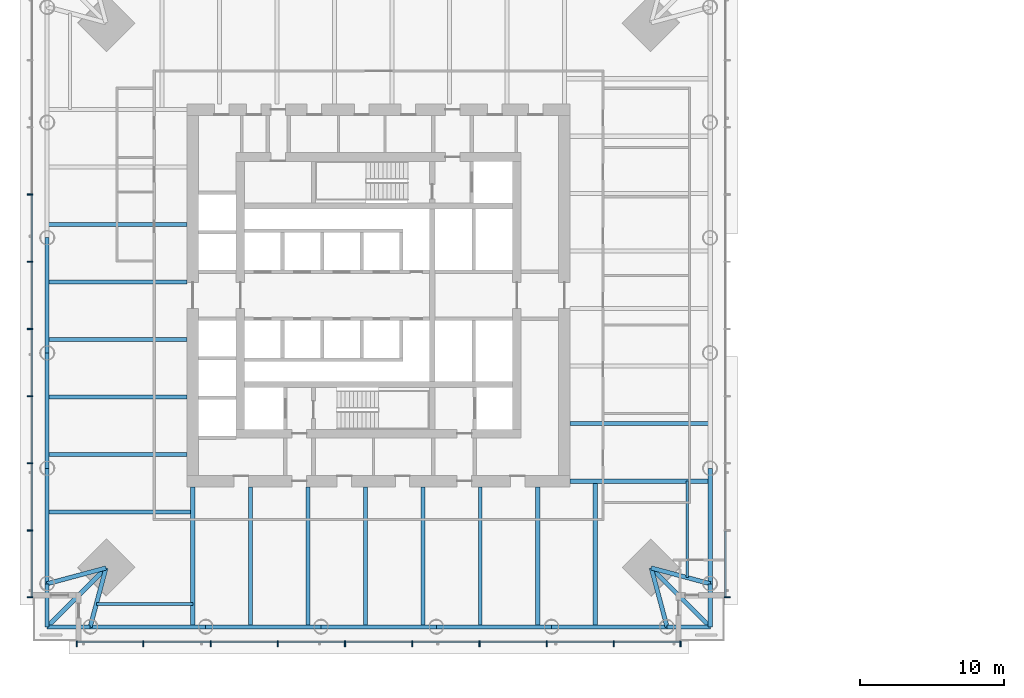
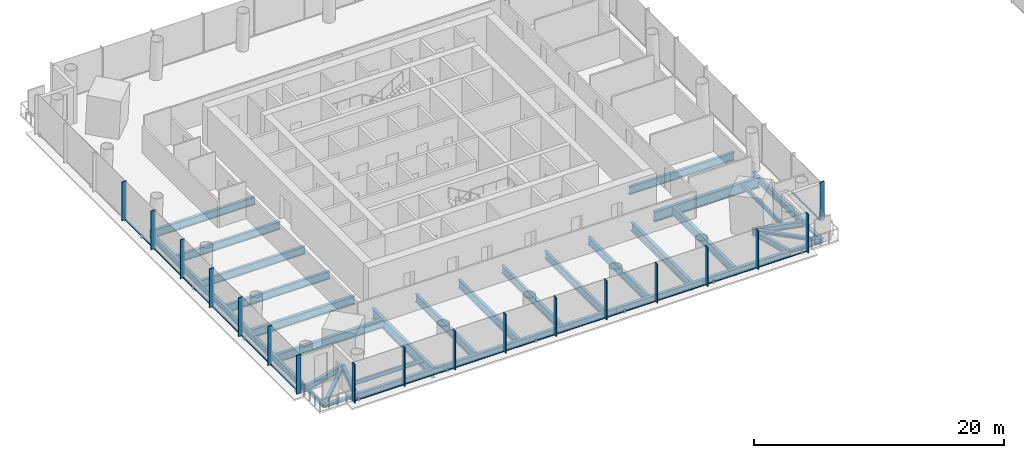
# One storey, part 2 of 26: 37 beams, 34 members, 3 elements without a shape of their own.
"""IFC4 building model written with IfcOpenShell, lengths in metres."""

from ifc_helpers import new_model, si_unit, direction, frame, origin, origin_2d, place, context, subcontext, project, spatial, rectangle, i_section, extrude, material, material_profile, profile_set, type_object, element, aggregate, save


model = new_model("IFC4")

# Units and contexts
model_context = context("Model", 3, precision=1e-05, world=origin(), true_north=direction((0.0, 1.0)))
body_context = subcontext(model_context, "Body", "Model", "MODEL_VIEW")
ifc_project = project(units=[si_unit("LENGTHUNIT", "METRE"), si_unit("AREAUNIT", "SQUARE_METRE"), si_unit("VOLUMEUNIT", "CUBIC_METRE"), si_unit("PLANEANGLEUNIT", "RADIAN"), si_unit("MASSUNIT", "GRAM", prefix="KILO")], contexts=[model_context])

# Site, building, storey
site_placement = place(None, origin())
site = spatial("IfcSite", under=ifc_project, at=site_placement, CompositionType="ELEMENT")
building_placement = place(site_placement, origin())
building = spatial("IfcBuilding", under=site, at=building_placement, Name="Ostroluk Exchange", CompositionType="ELEMENT")
storey_placement = place(building_placement, frame((0.0, 0.0, 51.39990234375)))
storey = spatial("IfcBuildingStorey", under=building, at=storey_placement, Name="L12", CompositionType="ELEMENT", Elevation=51.39990234375)

# Beams
ifc_material_1 = material(Name="Steel S355", Category="steel")
ifc_material_profile_1 = material_profile(ifc_material_1, i_section(OverallWidth=0.300048828125, OverallDepth=0.300048828125, WebThickness=0.010986328125, FlangeThickness=0.01904296875, FilletRadius=0.027099609375, at=origin_2d()), Name="HEB 300")
ifc_profile_set_1 = profile_set([ifc_material_profile_1], Name="Steel S355")
beam_type_1 = type_object("IfcBeamType", Name="Balcony beam HEB 300", PredefinedType="BEAM", material=ifc_profile_set_1)
for number, where, z_axis, x_axis, name in (
    (1, (21.971435546875, 25.971435546875, -0.329833984375), (0.0, -1.0, 0.0), (1.0, 0.0, 0.0), "T1 west balcony beam a"),
    (2, (24.971435546875, 22.971435546875, -0.329833984375), (-1.0, 0.0, 0.0), (0.0, -1.0, 0.0), "T1 west balcony beam b"),
):
    element("IfcBeam", number, at=place(storey_placement, frame(where, z_axis=z_axis, x_axis=x_axis)), inside=storey, type_object=beam_type_1, Name=name, PredefinedType="BEAM", context=body_context, shape_type="SweptSolid", body=[
        extrude(i_section(OverallWidth=0.300048828125, OverallDepth=0.300048828125, WebThickness=0.010986328125, FlangeThickness=0.01904296875, FilletRadius=0.027099609375, at=origin_2d()), origin(), (0.0, 0.0, 1.0), 3.0),
    ])
beam_1_placement = place(storey_placement, frame((26.071533203125, 27.071533203125, -0.329833984375), z_axis=(-0.707106781187, -0.707106781187, 0.0), x_axis=(0.707106781187, -0.707106781187, 0.0)))
element("IfcBeam", 3, at=beam_1_placement, inside=storey, type_object=beam_type_1, Name="T1 west balcony beam c", PredefinedType="BEAM", context=body_context, shape_type="SweptSolid", body=[
    extrude(i_section(OverallWidth=0.300048828125, OverallDepth=0.300048828125, WebThickness=0.010986328125, FlangeThickness=0.01904296875, FilletRadius=0.027099609375, at=origin_2d()), origin(), (0.0, 0.0, 1.0), 5.79833984375),
])
for number, where, z_axis, x_axis, name in (
    (4, (65.028564453125, 22.971435546875, -0.329833984375), (1.0, 0.0, 0.0), (0.0, 1.0, 0.0), "T1 south balcony beam a"),
    (5, (68.028564453125, 25.971435546875, -0.329833984375), (0.0, -1.0, 0.0), (1.0, 0.0, 0.0), "T1 south balcony beam b"),
):
    element("IfcBeam", number, at=place(storey_placement, frame(where, z_axis=z_axis, x_axis=x_axis)), inside=storey, type_object=beam_type_1, Name=name, PredefinedType="BEAM", context=body_context, shape_type="SweptSolid", body=[
        extrude(i_section(OverallWidth=0.300048828125, OverallDepth=0.300048828125, WebThickness=0.010986328125, FlangeThickness=0.01904296875, FilletRadius=0.027099609375, at=origin_2d()), origin(), (0.0, 0.0, 1.0), 3.0),
    ])
beam_2_placement = place(storey_placement, frame((63.928466796875, 27.071533203125, -0.329833984375), z_axis=(0.707106781187, -0.707106781187, 0.0), x_axis=(0.707106781187, 0.707106781187, 0.0)))
element("IfcBeam", 6, at=beam_2_placement, inside=storey, type_object=beam_type_1, Name="T1 south balcony beam c", PredefinedType="BEAM", context=body_context, shape_type="SweptSolid", body=[
    extrude(i_section(OverallWidth=0.300048828125, OverallDepth=0.300048828125, WebThickness=0.010986328125, FlangeThickness=0.01904296875, FilletRadius=0.027099609375, at=origin_2d()), origin(), (0.0, 0.0, 1.0), 5.79833984375),
])
ifc_material_2 = material(Name="Steel S355", Category="steel")
ifc_material_profile_2 = material_profile(ifc_material_2, i_section(OverallWidth=0.300048828125, OverallDepth=0.550048828125, WebThickness=0.014892578125, FlangeThickness=0.029052734375, FilletRadius=0.027099609375, at=origin_2d()), Name="HEB 550")
ifc_profile_set_2 = profile_set([ifc_material_profile_2], Name="Steel S355")
beam_type_2 = type_object("IfcBeamType", Name="Corner edge beam HEB 550", PredefinedType="SPANDREL", material=ifc_profile_set_2)
for number, where, z_axis, x_axis, name in (
    (7, (26.071533203125, 27.071533203125, -0.454833984375), (-0.965838624319, -0.259144268261, 0.0), (0.259144268261, -0.965838624319, 0.0), "T1 west corner edge beam a"),
    (8, (26.071533203125, 27.071533203125, -0.454833984375), (-0.259144268261, -0.965838624319, 0.0), (0.965838624319, -0.259144268261, 0.0), "T1 west corner edge beam b"),
    (9, (63.928466796875, 27.071533203125, -0.454833984375), (0.259144268261, -0.965838624319, 0.0), (0.965838624319, 0.259144268261, 0.0), "T1 south corner edge beam a"),
    (10, (63.928466796875, 27.071533203125, -0.454833984375), (0.965838624319, -0.259144268261, 0.0), (0.259144268261, 0.965838624319, 0.0), "T1 south corner edge beam b"),
):
    element("IfcBeam", number, at=place(storey_placement, frame(where, z_axis=z_axis, x_axis=x_axis)), inside=storey, type_object=beam_type_2, Name=name, PredefinedType="SPANDREL", context=body_context, shape_type="SweptSolid", body=[
        extrude(i_section(OverallWidth=0.300048828125, OverallDepth=0.550048828125, WebThickness=0.014892578125, FlangeThickness=0.029052734375, FilletRadius=0.027099609375, at=origin_2d()), origin(), (0.0, 0.0, 1.0), 4.2451171875),
    ])
ifc_material_3 = material(Name="Steel S355", Category="steel")
ifc_material_profile_3 = material_profile(ifc_material_3, i_section(OverallWidth=0.302978515625, OverallDepth=0.81396484375, WebThickness=0.02099609375, FlangeThickness=0.0400390625, FilletRadius=0.030029296875, at=origin_2d()), Name="HEM 800")
ifc_profile_set_3 = profile_set([ifc_material_profile_3], Name="Steel S355")
beam_type_3 = type_object("IfcBeamType", Name="Floor beam HEM 800", PredefinedType="BEAM", material=ifc_profile_set_3)
beam_3_placement = place(storey_placement, frame((31.699951171875, 34.947509765625, -0.5869140625), z_axis=(-1.0, 0.0, 0.0), x_axis=(0.0, -1.0, 0.0)))
element("IfcBeam", 11, at=beam_3_placement, inside=storey, type_object=beam_type_3, Name="T1 west floor beam 6", PredefinedType="BEAM", context=body_context, shape_type="SweptSolid", body=[
    extrude(i_section(OverallWidth=0.302978515625, OverallDepth=0.81396484375, WebThickness=0.02099609375, FlangeThickness=0.0400390625, FilletRadius=0.030029296875, at=origin_2d()), origin(), (0.0, 0.0, 1.0), 9.728515625),
])
beam_4_placement = place(storey_placement, frame((32.10009765625, 30.95556640625, -0.5869140625), z_axis=(-1.0, 0.0, 0.0), x_axis=(0.0, -1.0, 0.0)))
element("IfcBeam", 12, at=beam_4_placement, inside=storey, type_object=beam_type_3, Name="T1 west floor beam 7", PredefinedType="BEAM", context=body_context, shape_type="SweptSolid", body=[
    extrude(i_section(OverallWidth=0.302978515625, OverallDepth=0.81396484375, WebThickness=0.02099609375, FlangeThickness=0.0400390625, FilletRadius=0.030029296875, at=origin_2d()), origin(), (0.0, 0.0, 1.0), 10.128662109375),
])
beam_5_placement = place(storey_placement, frame((56.052490234375, 32.699951171875, -0.5869140625), z_axis=(0.0, -1.0, 0.0), x_axis=(1.0, 0.0, 0.0)))
element("IfcBeam", 13, at=beam_5_placement, inside=storey, type_object=beam_type_3, Name="T1 south floor beam 6", PredefinedType="BEAM", context=body_context, shape_type="SweptSolid", body=[
    extrude(i_section(OverallWidth=0.302978515625, OverallDepth=0.81396484375, WebThickness=0.02099609375, FlangeThickness=0.0400390625, FilletRadius=0.030029296875, at=origin_2d()), origin(), (0.0, 0.0, 1.0), 9.728515625),
])
beam_6_placement = place(storey_placement, frame((60.04443359375, 33.10009765625, -0.5869140625), z_axis=(0.0, -1.0, 0.0), x_axis=(1.0, 0.0, 0.0)))
element("IfcBeam", 14, at=beam_6_placement, inside=storey, type_object=beam_type_3, Name="T1 south floor beam 7", PredefinedType="BEAM", context=body_context, shape_type="SweptSolid", body=[
    extrude(i_section(OverallWidth=0.302978515625, OverallDepth=0.81396484375, WebThickness=0.02099609375, FlangeThickness=0.0400390625, FilletRadius=0.030029296875, at=origin_2d()), origin(), (0.0, 0.0, 1.0), 10.128662109375),
])
ifc_material_4 = material(Name="Steel S355", Category="steel")
ifc_material_profile_4 = material_profile(ifc_material_4, i_section(OverallWidth=0.179931640625, OverallDepth=0.39990234375, WebThickness=0.008544921875, FlangeThickness=0.013427734375, FilletRadius=0.02099609375, at=origin_2d()), Name="IPE 400")
ifc_profile_set_4 = profile_set([ifc_material_profile_4], Name="Steel S355")
beam_type_4 = type_object("IfcBeamType", Name="Floor beam IPE 400", PredefinedType="BEAM", material=ifc_profile_set_4)
for number, where, z_axis, x_axis, name in (
    (15, (32.10009765625, 24.571533203125, -0.3798828125), (-1.0, 0.0, 0.0), (0.0, -1.0, 0.0), "T1 west floor beam 8"),
    (16, (66.428466796875, 33.10009765625, -0.3798828125), (0.0, -1.0, 0.0), (1.0, 0.0, 0.0), "T1 south floor beam 8"),
):
    element("IfcBeam", number, at=place(storey_placement, frame(where, z_axis=z_axis, x_axis=x_axis)), inside=storey, type_object=beam_type_4, Name=name, PredefinedType="BEAM", context=body_context, shape_type="SweptSolid", body=[
        extrude(i_section(OverallWidth=0.179931640625, OverallDepth=0.39990234375, WebThickness=0.008544921875, FlangeThickness=0.013427734375, FilletRadius=0.02099609375, at=origin_2d()), origin(), (0.0, 0.0, 1.0), 6.699462890625),
    ])
ifc_material_5 = material(Name="Steel S355", Category="steel")
ifc_material_profile_5 = material_profile(ifc_material_5, i_section(OverallWidth=0.26806640625, OverallDepth=0.77001953125, WebThickness=0.015625, FlangeThickness=0.025390625, FilletRadius=0.01708984375, at=origin_2d()), Name="IPE 750x196")
ifc_profile_set_5 = profile_set([ifc_material_profile_5], Name="Steel S355")
beam_type_5 = type_object("IfcBeamType", Name="Floor beam IPE 750x196", PredefinedType="BEAM", material=ifc_profile_set_5)
for number, where, z_axis, x_axis, name in (
    (17, (58.300048828125, 37.092041015625, -0.56494140625), (1.0, 0.0, 0.0), (0.0, 1.0, 0.0), "T1 east floor beam 1"),
    (18, (31.699951171875, 50.915771484375, -0.56494140625), (-1.0, 0.0, 0.0), (0.0, -1.0, 0.0), "T1 west floor beam 2"),
    (19, (31.699951171875, 46.923828125, -0.56494140625), (-1.0, 0.0, 0.0), (0.0, -1.0, 0.0), "T1 west floor beam 3"),
    (20, (31.699951171875, 42.931640625, -0.56494140625), (-1.0, 0.0, 0.0), (0.0, -1.0, 0.0), "T1 west floor beam 4"),
    (21, (31.699951171875, 38.939697265625, -0.56494140625), (-1.0, 0.0, 0.0), (0.0, -1.0, 0.0), "T1 west floor beam 5"),
    (22, (36.092041015625, 32.699951171875, -0.56494140625), (0.0, -1.0, 0.0), (1.0, 0.0, 0.0), "T1 south floor beam 1"),
    (23, (40.084228515625, 32.699951171875, -0.56494140625), (0.0, -1.0, 0.0), (1.0, 0.0, 0.0), "T1 south floor beam 2"),
    (24, (44.076171875, 32.699951171875, -0.56494140625), (0.0, -1.0, 0.0), (1.0, 0.0, 0.0), "T1 south floor beam 3"),
    (25, (48.068359375, 32.699951171875, -0.56494140625), (0.0, -1.0, 0.0), (1.0, 0.0, 0.0), "T1 south floor beam 4"),
    (26, (52.060302734375, 32.699951171875, -0.56494140625), (0.0, -1.0, 0.0), (1.0, 0.0, 0.0), "T1 south floor beam 5"),
):
    element("IfcBeam", number, at=place(storey_placement, frame(where, z_axis=z_axis, x_axis=x_axis)), inside=storey, type_object=beam_type_5, Name=name, PredefinedType="BEAM", context=body_context, shape_type="SweptSolid", body=[
        extrude(i_section(OverallWidth=0.26806640625, OverallDepth=0.77001953125, WebThickness=0.015625, FlangeThickness=0.025390625, FilletRadius=0.01708984375, at=origin_2d()), origin(), (0.0, 0.0, 1.0), 9.728515625),
    ])
ifc_material_6 = material(Name="Steel S355", Category="steel")
ifc_material_profile_6 = material_profile(ifc_material_6, i_section(OverallWidth=0.302001953125, OverallDepth=1.008056640625, WebThickness=0.02099609375, FlangeThickness=0.0400390625, FilletRadius=0.030029296875, at=origin_2d()), Name="HEM 1000")
ifc_profile_set_6 = profile_set([ifc_material_profile_6], Name="Steel S355")
beam_type_6 = type_object("IfcBeamType", Name="Girder HEM 1000", PredefinedType="BEAM", material=ifc_profile_set_6)
for number, where, z_axis, x_axis, name in (
    (27, (32.10009765625, 32.699951171875, -0.683837890625), (0.0, -1.0, 0.0), (1.0, 0.0, 0.0), "T1 west girder"),
    (28, (58.300048828125, 33.10009765625, -0.683837890625), (1.0, 0.0, 0.0), (0.0, 1.0, 0.0), "T1 south girder"),
):
    element("IfcBeam", number, at=place(storey_placement, frame(where, z_axis=z_axis, x_axis=x_axis)), inside=storey, type_object=beam_type_6, Name=name, PredefinedType="BEAM", context=body_context, shape_type="SweptSolid", body=[
        extrude(i_section(OverallWidth=0.302001953125, OverallDepth=1.008056640625, WebThickness=0.02099609375, FlangeThickness=0.0400390625, FilletRadius=0.030029296875, at=origin_2d()), origin(), (0.0, 0.0, 1.0), 9.728515625),
    ])
ifc_material_7 = material(Name="Steel S355", Category="steel")
ifc_material_profile_7 = material_profile(ifc_material_7, i_section(OverallWidth=0.300048828125, OverallDepth=0.60009765625, WebThickness=0.015380859375, FlangeThickness=0.030029296875, FilletRadius=0.027099609375, at=origin_2d()), Name="HEB 600")
ifc_profile_set_7 = profile_set([ifc_material_profile_7], Name="Steel S355")
beam_type_7 = type_object("IfcBeamType", Name="Moment-connected edge beam HEB 600", PredefinedType="SPANDREL", material=ifc_profile_set_7)
beam_7_placement = place(storey_placement, frame((68.028564453125, 25.971435546875, -0.47998046875), z_axis=(0.0, 1.0, 0.0), x_axis=(-1.0, 0.0, 0.0)))
element("IfcBeam", 29, at=beam_7_placement, inside=storey, type_object=beam_type_7, Name="T1 east edge beam 1", PredefinedType="SPANDREL", context=body_context, shape_type="SweptSolid", body=[
    extrude(i_section(OverallWidth=0.300048828125, OverallDepth=0.60009765625, WebThickness=0.015380859375, FlangeThickness=0.030029296875, FilletRadius=0.027099609375, at=origin_2d()), origin(), (0.0, 0.0, 1.0), 8.011474609375),
])
beam_8_placement = place(storey_placement, frame((21.971435546875, 50.005615234375, -0.47998046875), z_axis=(0.0, -1.0, 0.0), x_axis=(1.0, 0.0, 0.0)))
element("IfcBeam", 30, at=beam_8_placement, inside=storey, type_object=beam_type_7, Name="T1 west edge beam 3", PredefinedType="SPANDREL", context=body_context, shape_type="SweptSolid", body=[
    extrude(i_section(OverallWidth=0.300048828125, OverallDepth=0.60009765625, WebThickness=0.015380859375, FlangeThickness=0.030029296875, FilletRadius=0.027099609375, at=origin_2d()), origin(), (0.0, 0.0, 1.0), 8.01123046875),
])
for number, where, z_axis, x_axis, name in (
    (31, (21.971435546875, 41.994384765625, -0.47998046875), (0.0, -1.0, 0.0), (1.0, 0.0, 0.0), "T1 west edge beam 4"),
    (32, (21.971435546875, 33.98291015625, -0.47998046875), (0.0, -1.0, 0.0), (1.0, 0.0, 0.0), "T1 west edge beam 5"),
    (33, (24.971435546875, 22.971435546875, -0.47998046875), (1.0, 0.0, 0.0), (0.0, 1.0, 0.0), "T1 south edge beam 1"),
    (34, (32.98291015625, 22.971435546875, -0.47998046875), (1.0, 0.0, 0.0), (0.0, 1.0, 0.0), "T1 south edge beam 2"),
):
    element("IfcBeam", number, at=place(storey_placement, frame(where, z_axis=z_axis, x_axis=x_axis)), inside=storey, type_object=beam_type_7, Name=name, PredefinedType="SPANDREL", context=body_context, shape_type="SweptSolid", body=[
        extrude(i_section(OverallWidth=0.300048828125, OverallDepth=0.60009765625, WebThickness=0.015380859375, FlangeThickness=0.030029296875, FilletRadius=0.027099609375, at=origin_2d()), origin(), (0.0, 0.0, 1.0), 8.011474609375),
    ])
beam_9_placement = place(storey_placement, frame((40.994384765625, 22.971435546875, -0.47998046875), z_axis=(1.0, 0.0, 0.0), x_axis=(0.0, 1.0, 0.0)))
element("IfcBeam", 35, at=beam_9_placement, inside=storey, type_object=beam_type_7, Name="T1 south edge beam 3", PredefinedType="SPANDREL", context=body_context, shape_type="SweptSolid", body=[
    extrude(i_section(OverallWidth=0.300048828125, OverallDepth=0.60009765625, WebThickness=0.015380859375, FlangeThickness=0.030029296875, FilletRadius=0.027099609375, at=origin_2d()), origin(), (0.0, 0.0, 1.0), 8.01123046875),
])
for number, where, z_axis, x_axis, name in (
    (36, (49.005615234375, 22.971435546875, -0.47998046875), (1.0, 0.0, 0.0), (0.0, 1.0, 0.0), "T1 south edge beam 4"),
    (37, (57.01708984375, 22.971435546875, -0.47998046875), (1.0, 0.0, 0.0), (0.0, 1.0, 0.0), "T1 south edge beam 5"),
):
    element("IfcBeam", number, at=place(storey_placement, frame(where, z_axis=z_axis, x_axis=x_axis)), inside=storey, type_object=beam_type_7, Name=name, PredefinedType="SPANDREL", context=body_context, shape_type="SweptSolid", body=[
        extrude(i_section(OverallWidth=0.300048828125, OverallDepth=0.60009765625, WebThickness=0.015380859375, FlangeThickness=0.030029296875, FilletRadius=0.027099609375, at=origin_2d()), origin(), (0.0, 0.0, 1.0), 8.011474609375),
    ])

# Curtain wall, members
ifc_material_8 = material(Name="Laminated clear glass", Category="glass")
curtain_wall_type = type_object("IfcCurtainWallType", Name="Office tower facade", PredefinedType="USERDEFINED", material=ifc_material_8)
curtain_wall_1_placement = place(storey_placement, origin())
curtain_wall_1 = element("IfcCurtainWall", 38, at=curtain_wall_1_placement, inside=storey, type_object=curtain_wall_type, Name="Office tower south facade L12", ObjectType="UNITISED CURTAIN WALL", PredefinedType="USERDEFINED")
ifc_material_9 = material(Name="Aluminium mullion", Category="aluminium")
ifc_material_profile_8 = material_profile(ifc_material_9, rectangle(XDim=0.14990234375, YDim=0.080078125, at=origin_2d()), Name="Sill transom 80 x 150")
ifc_profile_set_8 = profile_set([ifc_material_profile_8], Name="Aluminium mullion")
member_type_1 = type_object("IfcMemberType", Name="Sill transom 80 x 150", PredefinedType="USERDEFINED", material=ifc_profile_set_8)
member_1_placement = place(storey_placement, frame((24.080078125, 21.925048828125, 0.0400390625), z_axis=(1.0, 0.0, 0.0), x_axis=(0.0, 1.0, 0.0)))
member_1 = element("IfcMember", 39, at=member_1_placement, type_object=member_type_1, Name="CW-O1 transom 1.1", ObjectType="TRANSOM", PredefinedType="USERDEFINED", context=body_context, shape_type="SweptSolid", body=[
    extrude(rectangle(XDim=0.14990234375, YDim=0.080078125, at=origin_2d()), origin(), (0.0, 0.0, 1.0), 4.546630859375),
])
member_2_placement = place(storey_placement, frame((28.706787109375, 21.925048828125, 0.0400390625), z_axis=(1.0, 0.0, 0.0), x_axis=(0.0, 1.0, 0.0)))
member_2 = element("IfcMember", 40, at=member_2_placement, type_object=member_type_1, Name="CW-O1 transom 2.1", ObjectType="TRANSOM", PredefinedType="USERDEFINED", context=body_context, shape_type="SweptSolid", body=[
    extrude(rectangle(XDim=0.14990234375, YDim=0.080078125, at=origin_2d()), origin(), (0.0, 0.0, 1.0), 4.58642578125),
])
member_3_placement = place(storey_placement, frame((33.373291015625, 21.925048828125, 0.0400390625), z_axis=(1.0, 0.0, 0.0), x_axis=(0.0, 1.0, 0.0)))
member_3 = element("IfcMember", 41, at=member_3_placement, type_object=member_type_1, Name="CW-O1 transom 3.1", ObjectType="TRANSOM", PredefinedType="USERDEFINED", context=body_context, shape_type="SweptSolid", body=[
    extrude(rectangle(XDim=0.14990234375, YDim=0.080078125, at=origin_2d()), origin(), (0.0, 0.0, 1.0), 4.586669921875),
])
member_4_placement = place(storey_placement, frame((38.0400390625, 21.925048828125, 0.0400390625), z_axis=(1.0, 0.0, 0.0), x_axis=(0.0, 1.0, 0.0)))
member_4 = element("IfcMember", 42, at=member_4_placement, type_object=member_type_1, Name="CW-O1 transom 4.1", ObjectType="TRANSOM", PredefinedType="USERDEFINED", context=body_context, shape_type="SweptSolid", body=[
    extrude(rectangle(XDim=0.14990234375, YDim=0.080078125, at=origin_2d()), origin(), (0.0, 0.0, 1.0), 4.586669921875),
])
member_5_placement = place(storey_placement, frame((42.706787109375, 21.925048828125, 0.0400390625), z_axis=(1.0, 0.0, 0.0), x_axis=(0.0, 1.0, 0.0)))
member_5 = element("IfcMember", 43, at=member_5_placement, type_object=member_type_1, Name="CW-O1 transom 5.1", ObjectType="TRANSOM", PredefinedType="USERDEFINED", context=body_context, shape_type="SweptSolid", body=[
    extrude(rectangle(XDim=0.14990234375, YDim=0.080078125, at=origin_2d()), origin(), (0.0, 0.0, 1.0), 4.58642578125),
])
member_6_placement = place(storey_placement, frame((47.373291015625, 21.925048828125, 0.0400390625), z_axis=(1.0, 0.0, 0.0), x_axis=(0.0, 1.0, 0.0)))
member_6 = element("IfcMember", 44, at=member_6_placement, type_object=member_type_1, Name="CW-O1 transom 6.1", ObjectType="TRANSOM", PredefinedType="USERDEFINED", context=body_context, shape_type="SweptSolid", body=[
    extrude(rectangle(XDim=0.14990234375, YDim=0.080078125, at=origin_2d()), origin(), (0.0, 0.0, 1.0), 4.586669921875),
])
member_7_placement = place(storey_placement, frame((52.0400390625, 21.925048828125, 0.0400390625), z_axis=(1.0, 0.0, 0.0), x_axis=(0.0, 1.0, 0.0)))
member_7 = element("IfcMember", 45, at=member_7_placement, type_object=member_type_1, Name="CW-O1 transom 7.1", ObjectType="TRANSOM", PredefinedType="USERDEFINED", context=body_context, shape_type="SweptSolid", body=[
    extrude(rectangle(XDim=0.14990234375, YDim=0.080078125, at=origin_2d()), origin(), (0.0, 0.0, 1.0), 4.586669921875),
])
member_8_placement = place(storey_placement, frame((56.706787109375, 21.925048828125, 0.0400390625), z_axis=(1.0, 0.0, 0.0), x_axis=(0.0, 1.0, 0.0)))
member_8 = element("IfcMember", 46, at=member_8_placement, type_object=member_type_1, Name="CW-O1 transom 8.1", ObjectType="TRANSOM", PredefinedType="USERDEFINED", context=body_context, shape_type="SweptSolid", body=[
    extrude(rectangle(XDim=0.14990234375, YDim=0.080078125, at=origin_2d()), origin(), (0.0, 0.0, 1.0), 4.58642578125),
])
member_9_placement = place(storey_placement, frame((61.373291015625, 21.925048828125, 0.0400390625), z_axis=(1.0, 0.0, 0.0), x_axis=(0.0, 1.0, 0.0)))
member_9 = element("IfcMember", 47, at=member_9_placement, type_object=member_type_1, Name="CW-O1 transom 9.1", ObjectType="TRANSOM", PredefinedType="USERDEFINED", context=body_context, shape_type="SweptSolid", body=[
    extrude(rectangle(XDim=0.14990234375, YDim=0.080078125, at=origin_2d()), origin(), (0.0, 0.0, 1.0), 4.546630859375),
])

# Curtain wall, member
curtain_wall_2_placement = place(storey_placement, origin())
curtain_wall_2 = element("IfcCurtainWall", 48, at=curtain_wall_2_placement, inside=storey, type_object=curtain_wall_type, Name="Office tower east facade L12", ObjectType="UNITISED CURTAIN WALL", PredefinedType="USERDEFINED")
member_10_placement = place(storey_placement, frame((69.074951171875, 25.080078125, 0.0400390625), z_axis=(0.0, 1.0, 0.0), x_axis=(-1.0, 0.0, 0.0)))
member_10 = element("IfcMember", 49, at=member_10_placement, type_object=member_type_1, Name="CW-O1 transom 1.1", ObjectType="TRANSOM", PredefinedType="USERDEFINED", context=body_context, shape_type="SweptSolid", body=[
    extrude(rectangle(XDim=0.14990234375, YDim=0.080078125, at=origin_2d()), origin(), (0.0, 0.0, 1.0), 4.546630859375),
])

# Curtain wall, members
curtain_wall_3_placement = place(storey_placement, origin())
curtain_wall_3 = element("IfcCurtainWall", 50, at=curtain_wall_3_placement, inside=storey, type_object=curtain_wall_type, Name="Office tower west facade L12", ObjectType="UNITISED CURTAIN WALL", PredefinedType="USERDEFINED")
member_11_placement = place(storey_placement, frame((20.925048828125, 52.9599609375, 0.0400390625), z_axis=(0.0, -1.0, 0.0), x_axis=(1.0, 0.0, 0.0)))
member_11 = element("IfcMember", 51, at=member_11_placement, type_object=member_type_1, Name="CW-O1 transom 4.1", ObjectType="TRANSOM", PredefinedType="USERDEFINED", context=body_context, shape_type="SweptSolid", body=[
    extrude(rectangle(XDim=0.14990234375, YDim=0.080078125, at=origin_2d()), origin(), (0.0, 0.0, 1.0), 4.586669921875),
])
member_12_placement = place(storey_placement, frame((20.925048828125, 48.293212890625, 0.0400390625), z_axis=(0.0, -1.0, 0.0), x_axis=(1.0, 0.0, 0.0)))
member_12 = element("IfcMember", 52, at=member_12_placement, type_object=member_type_1, Name="CW-O1 transom 5.1", ObjectType="TRANSOM", PredefinedType="USERDEFINED", context=body_context, shape_type="SweptSolid", body=[
    extrude(rectangle(XDim=0.14990234375, YDim=0.080078125, at=origin_2d()), origin(), (0.0, 0.0, 1.0), 4.58642578125),
])
member_13_placement = place(storey_placement, frame((20.925048828125, 43.626708984375, 0.0400390625), z_axis=(0.0, -1.0, 0.0), x_axis=(1.0, 0.0, 0.0)))
member_13 = element("IfcMember", 53, at=member_13_placement, type_object=member_type_1, Name="CW-O1 transom 6.1", ObjectType="TRANSOM", PredefinedType="USERDEFINED", context=body_context, shape_type="SweptSolid", body=[
    extrude(rectangle(XDim=0.14990234375, YDim=0.080078125, at=origin_2d()), origin(), (0.0, 0.0, 1.0), 4.586669921875),
])
member_14_placement = place(storey_placement, frame((20.925048828125, 38.9599609375, 0.0400390625), z_axis=(0.0, -1.0, 0.0), x_axis=(1.0, 0.0, 0.0)))
member_14 = element("IfcMember", 54, at=member_14_placement, type_object=member_type_1, Name="CW-O1 transom 7.1", ObjectType="TRANSOM", PredefinedType="USERDEFINED", context=body_context, shape_type="SweptSolid", body=[
    extrude(rectangle(XDim=0.14990234375, YDim=0.080078125, at=origin_2d()), origin(), (0.0, 0.0, 1.0), 4.586669921875),
])
member_15_placement = place(storey_placement, frame((20.925048828125, 34.293212890625, 0.0400390625), z_axis=(0.0, -1.0, 0.0), x_axis=(1.0, 0.0, 0.0)))
member_15 = element("IfcMember", 55, at=member_15_placement, type_object=member_type_1, Name="CW-O1 transom 8.1", ObjectType="TRANSOM", PredefinedType="USERDEFINED", context=body_context, shape_type="SweptSolid", body=[
    extrude(rectangle(XDim=0.14990234375, YDim=0.080078125, at=origin_2d()), origin(), (0.0, 0.0, 1.0), 4.58642578125),
])
member_16_placement = place(storey_placement, frame((20.925048828125, 29.626708984375, 0.0400390625), z_axis=(0.0, -1.0, 0.0), x_axis=(1.0, 0.0, 0.0)))
member_16 = element("IfcMember", 56, at=member_16_placement, type_object=member_type_1, Name="CW-O1 transom 9.1", ObjectType="TRANSOM", PredefinedType="USERDEFINED", context=body_context, shape_type="SweptSolid", body=[
    extrude(rectangle(XDim=0.14990234375, YDim=0.080078125, at=origin_2d()), origin(), (0.0, 0.0, 1.0), 4.546630859375),
])

# Member
ifc_material_10 = material(Name="Aluminium mullion with limestone facing", Category="masonry")
ifc_material_profile_9 = material_profile(ifc_material_10, rectangle(XDim=0.39990234375, YDim=0.080078125, at=origin_2d()), Name="Tracery mullion 80 x 400")
ifc_profile_set_9 = profile_set([ifc_material_profile_9], Name="Aluminium mullion with limestone facing")
member_type_2 = type_object("IfcMemberType", Name="Tracery mullion 80 x 400", PredefinedType="MULLION", material=ifc_profile_set_9)
member_17_placement = place(storey_placement, frame((24.0400390625, 21.800048828125, 0.0), z_axis=(0.0, 0.0, 1.0), x_axis=(0.0, 1.0, 0.0)))
member_17 = element("IfcMember", 57, at=member_17_placement, type_object=member_type_2, Name="CW-O1 mullion 1", PredefinedType="MULLION", context=body_context, shape_type="SweptSolid", body=[
    extrude(rectangle(XDim=0.39990234375, YDim=0.080078125, at=origin_2d()), origin(), (0.0, 0.0, 1.0), 3.800048828125),
])

member_18_placement = place(storey_placement, frame((28.666748046875, 21.800048828125, 0.0), z_axis=(0.0, 0.0, 1.0), x_axis=(0.0, 1.0, 0.0)))
member_18 = element("IfcMember", 58, at=member_18_placement, type_object=member_type_2, Name="CW-O1 mullion 2", PredefinedType="MULLION", context=body_context, shape_type="SweptSolid", body=[
    extrude(rectangle(XDim=0.39990234375, YDim=0.080078125, at=origin_2d()), origin(), (0.0, 0.0, 1.0), 3.800048828125),
])

member_19_placement = place(storey_placement, frame((33.333251953125, 21.800048828125, 0.0), z_axis=(0.0, 0.0, 1.0), x_axis=(0.0, 1.0, 0.0)))
member_19 = element("IfcMember", 59, at=member_19_placement, type_object=member_type_2, Name="CW-O1 mullion 3", PredefinedType="MULLION", context=body_context, shape_type="SweptSolid", body=[
    extrude(rectangle(XDim=0.39990234375, YDim=0.080078125, at=origin_2d()), origin(), (0.0, 0.0, 1.0), 3.800048828125),
])

member_20_placement = place(storey_placement, frame((38.0, 21.800048828125, 0.0), z_axis=(0.0, 0.0, 1.0), x_axis=(0.0, 1.0, 0.0)))
member_20 = element("IfcMember", 60, at=member_20_placement, type_object=member_type_2, Name="CW-O1 mullion 4", PredefinedType="MULLION", context=body_context, shape_type="SweptSolid", body=[
    extrude(rectangle(XDim=0.39990234375, YDim=0.080078125, at=origin_2d()), origin(), (0.0, 0.0, 1.0), 3.800048828125),
])

member_21_placement = place(storey_placement, frame((42.666748046875, 21.800048828125, 0.0), z_axis=(0.0, 0.0, 1.0), x_axis=(0.0, 1.0, 0.0)))
member_21 = element("IfcMember", 61, at=member_21_placement, type_object=member_type_2, Name="CW-O1 mullion 5", PredefinedType="MULLION", context=body_context, shape_type="SweptSolid", body=[
    extrude(rectangle(XDim=0.39990234375, YDim=0.080078125, at=origin_2d()), origin(), (0.0, 0.0, 1.0), 3.800048828125),
])

member_22_placement = place(storey_placement, frame((47.333251953125, 21.800048828125, 0.0), z_axis=(0.0, 0.0, 1.0), x_axis=(0.0, 1.0, 0.0)))
member_22 = element("IfcMember", 62, at=member_22_placement, type_object=member_type_2, Name="CW-O1 mullion 6", PredefinedType="MULLION", context=body_context, shape_type="SweptSolid", body=[
    extrude(rectangle(XDim=0.39990234375, YDim=0.080078125, at=origin_2d()), origin(), (0.0, 0.0, 1.0), 3.800048828125),
])

member_23_placement = place(storey_placement, frame((52.0, 21.800048828125, 0.0), z_axis=(0.0, 0.0, 1.0), x_axis=(0.0, 1.0, 0.0)))
member_23 = element("IfcMember", 63, at=member_23_placement, type_object=member_type_2, Name="CW-O1 mullion 7", PredefinedType="MULLION", context=body_context, shape_type="SweptSolid", body=[
    extrude(rectangle(XDim=0.39990234375, YDim=0.080078125, at=origin_2d()), origin(), (0.0, 0.0, 1.0), 3.800048828125),
])

member_24_placement = place(storey_placement, frame((56.666748046875, 21.800048828125, 0.0), z_axis=(0.0, 0.0, 1.0), x_axis=(0.0, 1.0, 0.0)))
member_24 = element("IfcMember", 64, at=member_24_placement, type_object=member_type_2, Name="CW-O1 mullion 8", PredefinedType="MULLION", context=body_context, shape_type="SweptSolid", body=[
    extrude(rectangle(XDim=0.39990234375, YDim=0.080078125, at=origin_2d()), origin(), (0.0, 0.0, 1.0), 3.800048828125),
])

member_25_placement = place(storey_placement, frame((61.333251953125, 21.800048828125, 0.0), z_axis=(0.0, 0.0, 1.0), x_axis=(0.0, 1.0, 0.0)))
member_25 = element("IfcMember", 65, at=member_25_placement, type_object=member_type_2, Name="CW-O1 mullion 9", PredefinedType="MULLION", context=body_context, shape_type="SweptSolid", body=[
    extrude(rectangle(XDim=0.39990234375, YDim=0.080078125, at=origin_2d()), origin(), (0.0, 0.0, 1.0), 3.800048828125),
])

member_26_placement = place(storey_placement, frame((65.9599609375, 21.800048828125, 0.0), z_axis=(0.0, 0.0, 1.0), x_axis=(0.0, 1.0, 0.0)))
member_26 = element("IfcMember", 66, at=member_26_placement, type_object=member_type_2, Name="CW-O1 mullion 10", PredefinedType="MULLION", context=body_context, shape_type="SweptSolid", body=[
    extrude(rectangle(XDim=0.39990234375, YDim=0.080078125, at=origin_2d()), origin(), (0.0, 0.0, 1.0), 3.800048828125),
])

aggregate(curtain_wall_1, [member_17, member_18, member_19, member_20, member_21, member_22, member_23, member_24, member_25, member_26, member_1, member_2, member_3, member_4, member_5, member_6, member_7, member_8, member_9])

member_27_placement = place(storey_placement, frame((69.199951171875, 25.0400390625, 0.0), z_axis=(0.0, 0.0, 1.0), x_axis=(-1.0, 0.0, 0.0)))
member_27 = element("IfcMember", 67, at=member_27_placement, type_object=member_type_2, Name="CW-O1 mullion 1", PredefinedType="MULLION", context=body_context, shape_type="SweptSolid", body=[
    extrude(rectangle(XDim=0.39990234375, YDim=0.080078125, at=origin_2d()), origin(), (0.0, 0.0, 1.0), 3.800048828125),
])

aggregate(curtain_wall_2, [member_27, member_10])

member_28_placement = place(storey_placement, frame((20.800048828125, 53.0, 0.0), z_axis=(0.0, 0.0, 1.0), x_axis=(1.0, 0.0, 0.0)))
member_28 = element("IfcMember", 68, at=member_28_placement, type_object=member_type_2, Name="CW-O1 mullion 4", PredefinedType="MULLION", context=body_context, shape_type="SweptSolid", body=[
    extrude(rectangle(XDim=0.39990234375, YDim=0.080078125, at=origin_2d()), origin(), (0.0, 0.0, 1.0), 3.800048828125),
])

member_29_placement = place(storey_placement, frame((20.800048828125, 48.333251953125, 0.0), z_axis=(0.0, 0.0, 1.0), x_axis=(1.0, 0.0, 0.0)))
member_29 = element("IfcMember", 69, at=member_29_placement, type_object=member_type_2, Name="CW-O1 mullion 5", PredefinedType="MULLION", context=body_context, shape_type="SweptSolid", body=[
    extrude(rectangle(XDim=0.39990234375, YDim=0.080078125, at=origin_2d()), origin(), (0.0, 0.0, 1.0), 3.800048828125),
])

member_30_placement = place(storey_placement, frame((20.800048828125, 43.666748046875, 0.0), z_axis=(0.0, 0.0, 1.0), x_axis=(1.0, 0.0, 0.0)))
member_30 = element("IfcMember", 70, at=member_30_placement, type_object=member_type_2, Name="CW-O1 mullion 6", PredefinedType="MULLION", context=body_context, shape_type="SweptSolid", body=[
    extrude(rectangle(XDim=0.39990234375, YDim=0.080078125, at=origin_2d()), origin(), (0.0, 0.0, 1.0), 3.800048828125),
])

member_31_placement = place(storey_placement, frame((20.800048828125, 39.0, 0.0), z_axis=(0.0, 0.0, 1.0), x_axis=(1.0, 0.0, 0.0)))
member_31 = element("IfcMember", 71, at=member_31_placement, type_object=member_type_2, Name="CW-O1 mullion 7", PredefinedType="MULLION", context=body_context, shape_type="SweptSolid", body=[
    extrude(rectangle(XDim=0.39990234375, YDim=0.080078125, at=origin_2d()), origin(), (0.0, 0.0, 1.0), 3.800048828125),
])

member_32_placement = place(storey_placement, frame((20.800048828125, 34.333251953125, 0.0), z_axis=(0.0, 0.0, 1.0), x_axis=(1.0, 0.0, 0.0)))
member_32 = element("IfcMember", 72, at=member_32_placement, type_object=member_type_2, Name="CW-O1 mullion 8", PredefinedType="MULLION", context=body_context, shape_type="SweptSolid", body=[
    extrude(rectangle(XDim=0.39990234375, YDim=0.080078125, at=origin_2d()), origin(), (0.0, 0.0, 1.0), 3.800048828125),
])

member_33_placement = place(storey_placement, frame((20.800048828125, 29.666748046875, 0.0), z_axis=(0.0, 0.0, 1.0), x_axis=(1.0, 0.0, 0.0)))
member_33 = element("IfcMember", 73, at=member_33_placement, type_object=member_type_2, Name="CW-O1 mullion 9", PredefinedType="MULLION", context=body_context, shape_type="SweptSolid", body=[
    extrude(rectangle(XDim=0.39990234375, YDim=0.080078125, at=origin_2d()), origin(), (0.0, 0.0, 1.0), 3.800048828125),
])

member_34_placement = place(storey_placement, frame((20.800048828125, 25.0400390625, 0.0), z_axis=(0.0, 0.0, 1.0), x_axis=(1.0, 0.0, 0.0)))
member_34 = element("IfcMember", 74, at=member_34_placement, type_object=member_type_2, Name="CW-O1 mullion 10", PredefinedType="MULLION", context=body_context, shape_type="SweptSolid", body=[
    extrude(rectangle(XDim=0.39990234375, YDim=0.080078125, at=origin_2d()), origin(), (0.0, 0.0, 1.0), 3.800048828125),
])

aggregate(curtain_wall_3, [member_28, member_29, member_30, member_31, member_32, member_33, member_34, member_11, member_12, member_13, member_14, member_15, member_16])

save(model, "model.ifc")
